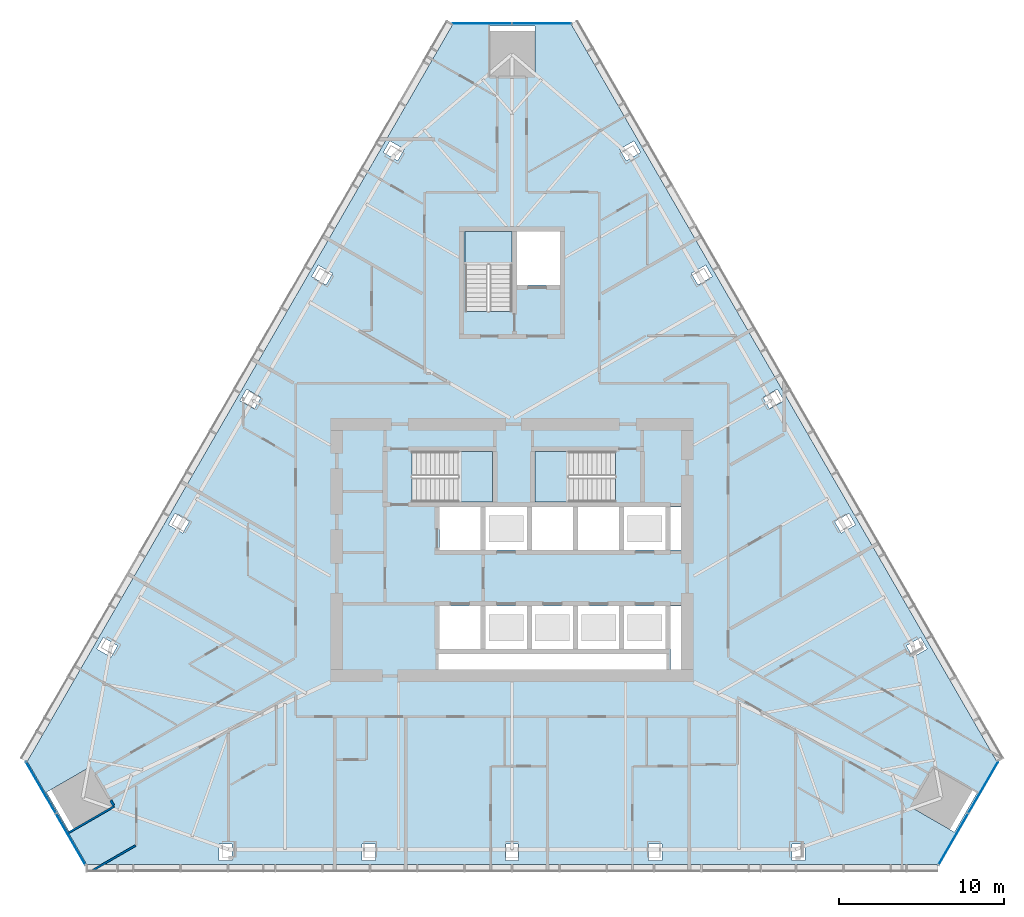
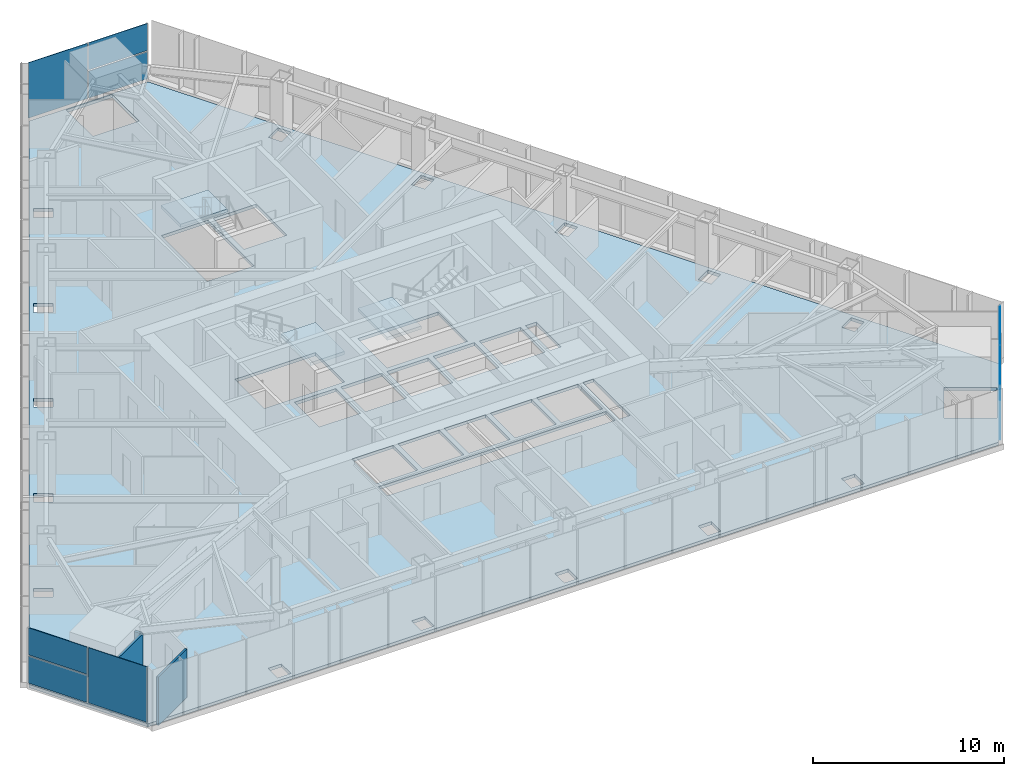
# One storey, part 9 of 16: 9 plates, 4 slabs, 3 walls, 6 elements without a shape of their own.
"""IFC4 building model written with IfcOpenShell, lengths in metres."""

from ifc_helpers import new_model, si_unit, direction, frame, frame_2d, origin, place, context, subcontext, project, spatial, polyline, rectangle, outline, extrude, material, layer, layer_set, type_object, element, aggregate, save


model = new_model("IFC4")

# Units and contexts
model_context = context("Model", 3, precision=1e-05, world=origin(), true_north=direction((0.0, 1.0)))
body_context = subcontext(model_context, "Body", "Model", "MODEL_VIEW")
ifc_project = project(units=[si_unit("LENGTHUNIT", "METRE"), si_unit("AREAUNIT", "SQUARE_METRE"), si_unit("VOLUMEUNIT", "CUBIC_METRE"), si_unit("PLANEANGLEUNIT", "RADIAN"), si_unit("MASSUNIT", "GRAM", prefix="KILO")], contexts=[model_context])

# Site, building, storey
site_placement = place(None, origin())
site = spatial("IfcSite", under=ifc_project, at=site_placement, CompositionType="ELEMENT")
building_placement = place(site_placement, origin())
building = spatial("IfcBuilding", under=site, at=building_placement, Name="Firuza Gate Tower and Library", CompositionType="ELEMENT")
storey_placement = place(building_placement, frame((0.0, 0.0, 198.699951171875)))
storey = spatial("IfcBuildingStorey", under=building, at=storey_placement, Name="L46", CompositionType="ELEMENT", Elevation=198.699951171875)

# Slab
ifc_material_1 = material(Name="Concrete C40/50", Category="concrete")
ifc_layer_1 = layer(ifc_material_1, 0.199951171875)
ifc_layer_set_1 = layer_set([ifc_layer_1], Name="Composite floor slab 200 C40/50")
slab_type_1 = type_object("IfcSlabType", Name="Composite floor slab 200 C40/50", PredefinedType="FLOOR", material=ifc_layer_set_1)
slab_1_placement = place(storey_placement, frame((0.0, 0.0, -0.199951171875)))
element("IfcSlab", 1, at=slab_1_placement, inside=storey, type_object=slab_type_1, Name="Floor slab L46", PredefinedType="FLOOR", context=body_context, shape_type="SweptSolid", body=[
    extrude(outline(polyline([(45.618896484375, 62.193603515625), (49.21875, 55.958251953125), (100.78125, 55.958251953125), (104.381103515625, 62.193603515625), (78.60009765625, 106.84814453125), (71.39990234375, 106.84814453125), (45.618896484375, 62.193603515625)]), holes=[polyline([(57.228515625, 56.198974609375), (57.228515625, 57.198974609375), (58.0283203125, 57.198974609375), (58.0283203125, 56.198974609375), (57.228515625, 56.198974609375)]), polyline([(74.60009765625, 56.198974609375), (74.60009765625, 57.198974609375), (75.39990234375, 57.198974609375), (75.39990234375, 56.198974609375), (74.60009765625, 56.198974609375)]), polyline([(65.914306640625, 56.198974609375), (65.914306640625, 57.198974609375), (66.714111328125, 57.198974609375), (66.714111328125, 56.198974609375), (65.914306640625, 56.198974609375)]), polyline([(46.7890625, 60.3291015625), (49.2138671875, 61.72900390625), (50.614013671875, 59.30419921875), (48.18896484375, 57.904052734375), (46.7890625, 60.3291015625)]), polyline([(84.35009765625, 67.75), (70.550048828125, 67.75), (70.550048828125, 68.699951171875), (84.35009765625, 68.699951171875), (84.35009765625, 67.75)]), polyline([(50.23193359375, 69.702880859375), (51.097900390625, 69.202880859375), (50.697998046875, 68.510009765625), (49.83203125, 69.010009765625), (50.23193359375, 69.702880859375)]), polyline([(73.10009765625, 69.0), (70.60009765625, 69.0), (70.60009765625, 71.60009765625), (73.10009765625, 71.60009765625), (73.10009765625, 69.0)]), polyline([(75.89990234375, 69.0), (73.39990234375, 69.0), (73.39990234375, 71.60009765625), (75.89990234375, 71.60009765625), (75.89990234375, 69.0)]), polyline([(73.10009765625, 75.0), (70.60009765625, 75.0), (70.60009765625, 77.60009765625), (73.10009765625, 77.60009765625), (73.10009765625, 75.0)]), polyline([(75.89990234375, 75.0), (73.39990234375, 75.0), (73.39990234375, 77.60009765625), (75.89990234375, 77.60009765625), (75.89990234375, 75.0)]), polyline([(54.574951171875, 77.224853515625), (55.44091796875, 76.724853515625), (55.040771484375, 76.031982421875), (54.1748046875, 76.531982421875), (54.574951171875, 77.224853515625)]), polyline([(73.81005859375, 77.89990234375), (68.9404296875, 77.89990234375), (68.9404296875, 80.97998046875), (73.81005859375, 80.97998046875), (73.81005859375, 77.89990234375)]), polyline([(58.917724609375, 84.7470703125), (59.78369140625, 84.2470703125), (59.3837890625, 83.55419921875), (58.517822265625, 84.05419921875), (58.917724609375, 84.7470703125)]), polyline([(63.2607421875, 92.26904296875), (64.126708984375, 91.76904296875), (63.7265625, 91.076171875), (62.860595703125, 91.576171875), (63.2607421875, 92.26904296875)]), polyline([(72.159912109375, 89.470458984375), (72.159912109375, 94.300048828125), (75.0, 94.300048828125), (75.0, 89.470458984375), (72.159912109375, 89.470458984375)]), polyline([(75.300048828125, 91.050048828125), (75.300048828125, 94.300048828125), (77.89990234375, 94.300048828125), (77.89990234375, 91.050048828125), (75.300048828125, 91.050048828125)]), polyline([(68.469482421875, 99.291259765625), (68.069580078125, 98.598388671875), (67.20361328125, 99.098388671875), (67.603515625, 99.791259765625), (68.469482421875, 99.291259765625)]), polyline([(76.39990234375, 106.766845703125), (76.39990234375, 103.966796875), (73.60009765625, 103.966796875), (73.60009765625, 106.766845703125), (76.39990234375, 106.766845703125)]), polyline([(91.9716796875, 56.198974609375), (91.9716796875, 57.198974609375), (92.771484375, 57.198974609375), (92.771484375, 56.198974609375), (91.9716796875, 56.198974609375)]), polyline([(83.285888671875, 56.198974609375), (83.285888671875, 57.198974609375), (84.085693359375, 57.198974609375), (84.085693359375, 56.198974609375), (83.285888671875, 56.198974609375)]), polyline([(101.81103515625, 57.904052734375), (99.385986328125, 59.30419921875), (100.7861328125, 61.72900390625), (103.2109375, 60.3291015625), (101.81103515625, 57.904052734375)]), polyline([(100.16796875, 69.010009765625), (99.302001953125, 68.510009765625), (98.902099609375, 69.202880859375), (99.76806640625, 69.702880859375), (100.16796875, 69.010009765625)]), polyline([(85.25, 67.75), (84.60009765625, 67.75), (84.60009765625, 71.60009765625), (85.25, 71.60009765625), (85.25, 67.75)]), polyline([(81.5, 69.0), (79.0, 69.0), (79.0, 71.60009765625), (81.5, 71.60009765625), (81.5, 69.0)]), polyline([(81.800048828125, 69.0), (81.800048828125, 71.60009765625), (84.300048828125, 71.60009765625), (84.300048828125, 69.0), (81.800048828125, 69.0)]), polyline([(76.199951171875, 69.0), (76.199951171875, 71.60009765625), (78.699951171875, 71.60009765625), (78.699951171875, 69.0), (76.199951171875, 69.0)]), polyline([(81.5, 75.0), (79.0, 75.0), (79.0, 77.60009765625), (81.5, 77.60009765625), (81.5, 75.0)]), polyline([(84.300048828125, 75.0), (81.800048828125, 75.0), (81.800048828125, 77.60009765625), (84.300048828125, 77.60009765625), (84.300048828125, 75.0)]), polyline([(85.25, 75.0), (84.60009765625, 75.0), (84.60009765625, 77.60009765625), (85.25, 77.60009765625), (85.25, 75.0)]), polyline([(78.699951171875, 75.0), (76.199951171875, 75.0), (76.199951171875, 77.60009765625), (78.699951171875, 77.60009765625), (78.699951171875, 75.0)]), polyline([(95.8251953125, 76.531982421875), (94.959228515625, 76.031982421875), (94.55908203125, 76.724853515625), (95.425048828125, 77.224853515625), (95.8251953125, 76.531982421875)]), polyline([(81.259521484375, 77.89990234375), (76.389892578125, 77.89990234375), (76.389892578125, 80.97998046875), (81.259521484375, 80.97998046875), (81.259521484375, 77.89990234375)]), polyline([(91.482177734375, 84.05419921875), (90.6162109375, 83.55419921875), (90.21630859375, 84.2470703125), (91.082275390625, 84.7470703125), (91.482177734375, 84.05419921875)]), polyline([(86.2734375, 91.076171875), (85.873291015625, 91.76904296875), (86.7392578125, 92.26904296875), (87.139404296875, 91.576171875), (86.2734375, 91.076171875)]), polyline([(81.930419921875, 98.598388671875), (81.530517578125, 99.291259765625), (82.396484375, 99.791259765625), (82.79638671875, 99.098388671875), (81.930419921875, 98.598388671875)])]), origin(), (0.0, 0.0, 1.0), 0.199951171875),
])

# Curtain wall, plate
ifc_material_2 = material(Name="Aluminium 6063-T6", Category="aluminium")
ifc_layer_2 = layer(ifc_material_2, 0.14990234375)
ifc_layer_set_2 = layer_set([ifc_layer_2], Name="Corner curtain wall, chamfers")
curtain_wall_type = type_object("IfcCurtainWallType", Name="Corner curtain wall, chamfers", PredefinedType="NOTDEFINED", material=ifc_layer_set_2)
placement_1 = place(storey_placement, origin())
curtain_wall_1 = element("IfcCurtainWall", 2, at=placement_1, inside=storey, type_object=curtain_wall_type, Name="CW4 L46 SE corner", PredefinedType="NOTDEFINED")
ifc_material_3 = material(Name="Fritted glass", Category="glass")
ifc_layer_3 = layer(ifc_material_3, 0.030029296875)
ifc_layer_set_3 = layer_set([ifc_layer_3], Name="Fritted glass unit, corners")
plate_type_1 = type_object("IfcPlateType", Name="Fritted glass unit, corners", PredefinedType="CURTAIN_PANEL", material=ifc_layer_set_3)
plate_1_placement = place(storey_placement, frame((102.67919921875, 59.065673828125, 0.150146484375), z_axis=(0.866046390552, -0.49996364809, 0.0), x_axis=(0.49996364809, 0.866046390552, 0.0)))
plate_1 = element("IfcPlate", 3, at=plate_1_placement, type_object=plate_type_1, Name="Glass unit", PredefinedType="CURTAIN_PANEL", context=body_context, shape_type="SweptSolid", body=[
    extrude(outline(polyline([(0.0, 0.0), (3.563247342942594, 0.0), (3.563247342942594, 1.73486328125), (0.0, 1.73486328125), (0.0, 0.0)])), origin(), (0.0, 0.0, -1.0), 0.030029296875),
])

curtain_wall_2 = element("IfcCurtainWall", 4, at=placement_1, inside=storey, type_object=curtain_wall_type, Name="CW4 L46 N corner", PredefinedType="NOTDEFINED")
plate_2_placement = place(storey_placement, frame((78.603271484375, 106.93798828125, 0.150146484375), z_axis=(0.0, 1.0, 0.0), x_axis=(-1.0, 0.0, 0.0)))
plate_2 = element("IfcPlate", 5, at=plate_2_placement, type_object=plate_type_1, Name="Glass unit", PredefinedType="CURTAIN_PANEL", context=body_context, shape_type="SweptSolid", body=[
    extrude(outline(polyline([(0.0, 0.0), (3.563232421875, 0.0), (3.563232421875, 1.73486328125), (0.0, 1.73486328125), (0.0, 0.0)])), origin(), (0.0, 0.0, -1.0), 0.030029296875),
])

curtain_wall_3 = element("IfcCurtainWall", 6, at=placement_1, inside=storey, type_object=curtain_wall_type, Name="CW4 L46 SW corner", PredefinedType="NOTDEFINED")
plate_3_placement = place(storey_placement, frame((45.539306640625, 62.151611328125, 0.150146484375), z_axis=(-0.866046390552, -0.49996364809, 0.0), x_axis=(0.49996364809, -0.866046390552, 0.0)))
plate_3 = element("IfcPlate", 7, at=plate_3_placement, type_object=plate_type_1, Name="Glass unit", PredefinedType="CURTAIN_PANEL", context=body_context, shape_type="SweptSolid", body=[
    extrude(outline(polyline([(0.0, 0.0), (3.563247342942594, 0.0), (3.563247342942594, 1.73486328125), (0.0, 1.73486328125), (0.0, 0.0)])), origin(), (0.0, 0.0, -1.0), 0.030029296875),
])

# Plate
ifc_material_4 = material(Name="Glazed ceramic tile")
ifc_layer_4 = layer(ifc_material_4, 0.030029296875)
ifc_layer_set_4 = layer_set([ifc_layer_4], Name="Opaque ceramic panel, corners")
plate_type_2 = type_object("IfcPlateType", Name="Opaque ceramic panel, corners", PredefinedType="CURTAIN_PANEL", material=ifc_layer_set_4)
plate_4_placement = place(storey_placement, frame((100.857421875, 55.910400390625, 0.150146484375), z_axis=(0.866016723041, -0.500015035186, 0.0), x_axis=(0.500015035186, 0.866016723041, 0.0)))
plate_4 = element("IfcPlate", 8, at=plate_4_placement, type_object=plate_type_2, Name="Opaque ceramic panel", PredefinedType="CURTAIN_PANEL", context=body_context, shape_type="SweptSolid", body=[
    extrude(outline(polyline([(0.0, 0.0), (3.5633694106530625, 0.0), (3.5633694106530625, 3.5498046875), (0.0, 3.5498046875), (0.0, 0.0)])), origin(), (0.0, 0.0, -1.0), 0.030029296875),
])

plate_5_placement = place(storey_placement, frame((102.67919921875, 59.065673828125, 1.965087890625), z_axis=(0.866046390552, -0.49996364809, 0.0), x_axis=(0.49996364809, 0.866046390552, 0.0)))
plate_5 = element("IfcPlate", 9, at=plate_5_placement, type_object=plate_type_2, Name="Opaque ceramic panel", PredefinedType="CURTAIN_PANEL", context=body_context, shape_type="SweptSolid", body=[
    extrude(outline(polyline([(0.0, 0.0), (3.563247342942594, 0.0), (3.563247342942594, 1.73486328125), (0.0, 1.73486328125), (0.0, 0.0)])), origin(), (0.0, 0.0, -1.0), 0.030029296875),
])

aggregate(curtain_wall_1, [plate_4, plate_1, plate_5])

plate_6_placement = place(storey_placement, frame((78.603271484375, 106.93798828125, 1.965087890625), z_axis=(0.0, 1.0, 0.0), x_axis=(-1.0, 0.0, 0.0)))
plate_6 = element("IfcPlate", 10, at=plate_6_placement, type_object=plate_type_2, Name="Opaque ceramic panel", PredefinedType="CURTAIN_PANEL", context=body_context, shape_type="SweptSolid", body=[
    extrude(outline(polyline([(0.0, 0.0), (3.563232421875, 0.0), (3.563232421875, 1.73486328125), (0.0, 1.73486328125), (0.0, 0.0)])), origin(), (0.0, 0.0, -1.0), 0.030029296875),
])

plate_7_placement = place(storey_placement, frame((74.9599609375, 106.93798828125, 0.150146484375), z_axis=(0.0, 1.0, 0.0), x_axis=(-1.0, 0.0, 0.0)))
plate_7 = element("IfcPlate", 11, at=plate_7_placement, type_object=plate_type_2, Name="Opaque ceramic panel", PredefinedType="CURTAIN_PANEL", context=body_context, shape_type="SweptSolid", body=[
    extrude(outline(polyline([(0.0, 0.0), (3.563232421875, 0.0), (3.563232421875, 3.5498046875), (0.0, 3.5498046875), (0.0, 0.0)])), origin(), (0.0, 0.0, -1.0), 0.030029296875),
])

aggregate(curtain_wall_2, [plate_2, plate_6, plate_7])

plate_8_placement = place(storey_placement, frame((45.539306640625, 62.151611328125, 1.965087890625), z_axis=(-0.866046390552, -0.49996364809, 0.0), x_axis=(0.49996364809, -0.866046390552, 0.0)))
plate_8 = element("IfcPlate", 12, at=plate_8_placement, type_object=plate_type_2, Name="Opaque ceramic panel", PredefinedType="CURTAIN_PANEL", context=body_context, shape_type="SweptSolid", body=[
    extrude(outline(polyline([(0.0, 0.0), (3.563247342942594, 0.0), (3.563247342942594, 1.73486328125), (0.0, 1.73486328125), (0.0, 0.0)])), origin(), (0.0, 0.0, -1.0), 0.030029296875),
])

plate_9_placement = place(storey_placement, frame((47.36083984375, 58.996337890625, 0.150146484375), z_axis=(-0.866016723041, -0.500015035186, 0.0), x_axis=(0.500015035186, -0.866016723041, 0.0)))
plate_9 = element("IfcPlate", 13, at=plate_9_placement, type_object=plate_type_2, Name="Opaque ceramic panel", PredefinedType="CURTAIN_PANEL", context=body_context, shape_type="SweptSolid", body=[
    extrude(outline(polyline([(0.0, 0.0), (3.5633694106530625, 0.0), (3.5633694106530625, 3.5498046875), (0.0, 3.5498046875), (0.0, 0.0)])), origin(), (0.0, 0.0, -1.0), 0.030029296875),
])

aggregate(curtain_wall_3, [plate_3, plate_8, plate_9])

# Stair, slab
ifc_material_5 = material(Name="Concrete C35/45", Category="concrete")
stair_type_1 = type_object("IfcStairType", Name="Exit stair ST7", PredefinedType="HALF_TURN_STAIR", material=ifc_material_5)
stair_1 = element("IfcStair", 14, at=placement_1, inside=storey, type_object=stair_type_1, Name="L46 Stair ST1", PredefinedType="HALF_TURN_STAIR")
ifc_material_6 = material(Name="Concrete C35/45", Category="concrete")
ifc_layer_5 = layer(ifc_material_6, 0.199951171875)
ifc_layer_set_5 = layer_set([ifc_layer_5], Name="Stair landing 200")
slab_type_2 = type_object("IfcSlabType", Name="Stair landing 200", PredefinedType="LANDING", material=ifc_layer_set_5)
placement_2 = place(storey_placement, frame((0.0, 0.0, 1.75)))
slab_2 = element("IfcSlab", 15, at=placement_2, type_object=slab_type_2, Name="ST1 landing 1", PredefinedType="LANDING", context=body_context, shape_type="SweptSolid", body=[
    extrude(outline(polyline([(71.739990234375, 77.89990234375), (73.81005859375, 77.89990234375), (73.81005859375, 80.97998046875), (71.739990234375, 80.97998046875), (71.739990234375, 77.89990234375)])), origin(), (0.0, 0.0, 1.0), 0.199951171875),
])
aggregate(stair_1, [slab_2])

stair_2 = element("IfcStair", 16, at=placement_1, inside=storey, type_object=stair_type_1, Name="L46 Stair ST2", PredefinedType="HALF_TURN_STAIR")
slab_3 = element("IfcSlab", 17, at=placement_2, type_object=slab_type_2, Name="ST2 landing 1", PredefinedType="LANDING", context=body_context, shape_type="SweptSolid", body=[
    extrude(outline(polyline([(78.4599609375, 80.97998046875), (76.389892578125, 80.97998046875), (76.389892578125, 77.89990234375), (78.4599609375, 77.89990234375), (78.4599609375, 80.97998046875)])), origin(), (0.0, 0.0, 1.0), 0.199951171875),
])
aggregate(stair_2, [slab_3])

ifc_material_7 = material(Name="Concrete C35/45", Category="concrete")
stair_type_2 = type_object("IfcStairType", Name="Exit stair ST16", PredefinedType="HALF_TURN_STAIR", material=ifc_material_7)
stair_3 = element("IfcStair", 18, at=placement_1, inside=storey, type_object=stair_type_2, Name="L46 Stair ST3", PredefinedType="HALF_TURN_STAIR")
slab_4 = element("IfcSlab", 19, at=placement_2, type_object=slab_type_2, Name="ST3 landing 1", PredefinedType="LANDING", context=body_context, shape_type="SweptSolid", body=[
    extrude(outline(polyline([(75.0, 92.27001953125), (75.0, 94.300048828125), (72.159912109375, 94.300048828125), (72.159912109375, 92.27001953125), (75.0, 92.27001953125)])), origin(), (0.0, 0.0, 1.0), 0.199951171875),
])
aggregate(stair_3, [slab_4])

# Walls
ifc_material_8 = material(Name="Gypsum board partition")
ifc_layer_6 = layer(ifc_material_8, 0.14990234375)
ifc_layer_set_6 = layer_set([ifc_layer_6], Name="Corridor wall 150 double board on steel studs")
wall_type_1 = type_object("IfcWallType", Name="Corridor wall 150 double board on steel studs", PredefinedType="PARTITIONING", material=ifc_layer_set_6)
wall_1_placement = place(storey_placement, frame((50.85986328125, 59.51611328125, 0.0), z_axis=(0.0, 0.0, 1.0), x_axis=(-0.499741784413, 0.866174433305, 0.0)))
element("IfcWall", 20, at=wall_1_placement, inside=storey, type_object=wall_type_1, Name="f:L46:w074", PredefinedType="PARTITIONING", context=body_context, shape_type="SweptSolid", body=[
    extrude(rectangle(XDim=0.364501953125, YDim=0.14990234375, at=frame_2d((0.18212890625, 0.0))), origin(), (0.0, 0.0, 1.0), 3.10009765625),
])
ifc_material_9 = material(Name="Gypsum board partition")
ifc_layer_7 = layer(ifc_material_9, 0.1201171875)
ifc_layer_set_7 = layer_set([ifc_layer_7], Name="Wet-area partition 120 moisture-resistant board")
wall_type_2 = type_object("IfcWallType", Name="Wet-area partition 120 moisture-resistant board", PredefinedType="PARTITIONING", material=ifc_layer_set_7)
wall_2_placement = place(storey_placement, frame((49.594970703125, 55.598388671875, 0.0), z_axis=(0.0, 0.0, 1.0), x_axis=(0.866028872743, 0.499993991539, 0.0)))
element("IfcWall", 21, at=wall_2_placement, inside=storey, type_object=wall_type_2, Name="f:L46:w024", PredefinedType="PARTITIONING", context=body_context, shape_type="SweptSolid", body=[
    extrude(rectangle(XDim=2.9833984375, YDim=0.1201171875, at=frame_2d((1.49169921875, 0.0))), origin(), (0.0, 0.0, 1.0), 3.10009765625),
])
wall_3_placement = place(storey_placement, frame((48.06689453125, 57.833740234375, 0.0), z_axis=(0.0, 0.0, 1.0), x_axis=(0.866035906198, 0.499981808845, 0.0)))
element("IfcWall", 22, at=wall_3_placement, inside=storey, type_object=wall_type_2, Name="f:L46:w027", PredefinedType="PARTITIONING", context=body_context, shape_type="SweptSolid", body=[
    extrude(rectangle(XDim=3.25927734375, YDim=0.1201171875, at=frame_2d((1.629638671875, 0.0))), origin(), (0.0, 0.0, 1.0), 3.10009765625),
])

save(model, "model.ifc")
